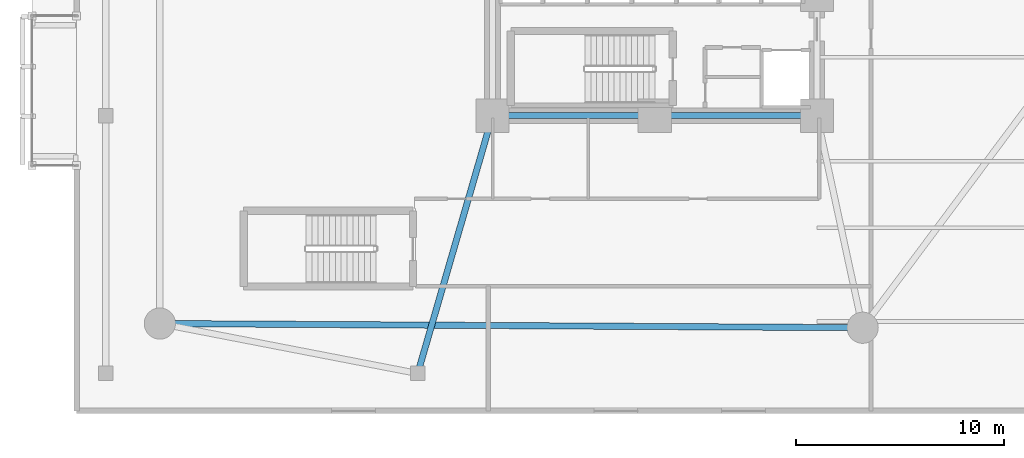
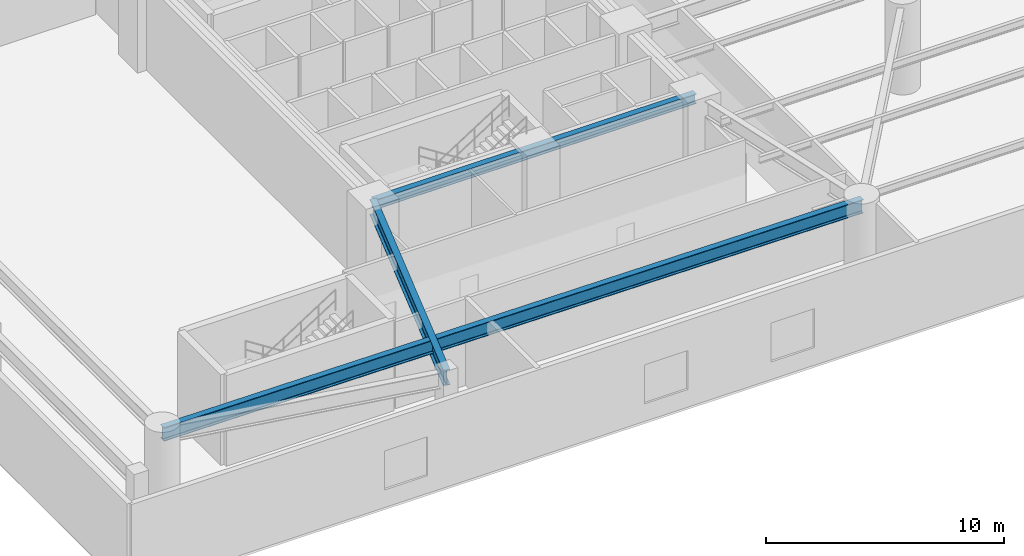
# One storey, part 3 of 15: 3 beams.
"""IFC4 building model written with IfcOpenShell, lengths in metres."""

import ifcopenshell
import ifcopenshell.guid

model = None  # the IFC model being written
_history = None  # IfcOwnerHistory: only IFC2X3 demands one
_inside = {}  # id of a spatial element -> (the spatial element, [elements in it])
_under = {}  # id of a project, library or spatial element -> (it, [spatial elements below it])
_declared = {}  # id of a project -> (the project, [libraries it declares])
_typed = {}  # id of a type object -> (the type object, [elements of that type])
_made_of = {}  # id of a material, layer set ... -> (it, [elements and type objects made of it])


def new_model(schema):
    """Start an empty IFC model of exactly this schema.

    Asked for "IFC4X3", IfcOpenShell would pick the latest addendum, in which some entities
    have other attributes; the version numbers below select the first issue.
    IFC2X3 requires an IfcOwnerHistory on every rooted entity: one is made here for all.
    """
    global model, _history
    if schema == "IFC4X3":
        model = ifcopenshell.file(schema_version=(4, 3, 0, 0))
    else:
        model = ifcopenshell.file(schema=schema)
    _inside.clear()
    _under.clear()
    _declared.clear()
    _typed.clear()
    _made_of.clear()
    _history = None
    if model.schema == "IFC2X3":
        org = make("IfcOrganization", Name="unknown")
        user = make(
            "IfcPersonAndOrganization",
            ThePerson=make("IfcPerson", FamilyName="unknown"),
            TheOrganization=org,
        )
        app = make(
            "IfcApplication",
            ApplicationDeveloper=org,
            Version="unknown",
            ApplicationFullName="unknown",
            ApplicationIdentifier="unknown",
        )
        _history = make(
            "IfcOwnerHistory",
            OwningUser=user,
            OwningApplication=app,
            ChangeAction="ADDED",
            CreationDate=0,
        )
    return model


def make(cls, **values):
    """One entity of the class cls with the attributes given. An attribute that is None is left unset."""
    return model.create_entity(
        cls, **{name: value for name, value in values.items() if value is not None}
    )


def rooted(cls, **values):
    """An entity with a GlobalId (a new one), such as an element, a storey or a relation."""
    return make(cls, GlobalId=ifcopenshell.guid.new(), OwnerHistory=_history, **values)


def si_unit(unit_type, name, prefix=None):
    """IfcSIUnit, for example si_unit("LENGTHUNIT", "METRE", prefix="MILLI")."""
    return make("IfcSIUnit", UnitType=unit_type, Prefix=prefix, Name=name)


def assignment(units):
    """IfcUnitAssignment: the units of a project."""
    return None if units is None else make("IfcUnitAssignment", Units=units)


def point(xyz):
    """IfcCartesianPoint."""
    return None if xyz is None else make("IfcCartesianPoint", Coordinates=xyz)


def direction(xyz):
    """IfcDirection."""
    return None if xyz is None else make("IfcDirection", DirectionRatios=xyz)


def frame(location, z_axis=None, x_axis=None):
    """IfcAxis2Placement3D, a coordinate frame: its origin and axes. An axis left out is left unset."""
    return make(
        "IfcAxis2Placement3D",
        Location=point(location),
        Axis=direction(z_axis),
        RefDirection=direction(x_axis),
    )


def frame_2d(location, x_axis=None):
    """IfcAxis2Placement2D, a coordinate frame in the plane: its origin and x axis."""
    return make(
        "IfcAxis2Placement2D", Location=point(location), RefDirection=direction(x_axis)
    )


def origin():
    """The frame at (0, 0, 0) with its axes left unset."""
    return frame((0.0, 0.0, 0.0))


def origin_2d():
    """The frame at (0, 0) in the plane with its x axis left unset."""
    return frame_2d((0.0, 0.0))


def place(relative_to, where):
    """IfcLocalPlacement: puts the frame where relative to a parent placement (None: the world)."""
    return make(
        "IfcLocalPlacement", PlacementRelTo=relative_to, RelativePlacement=where
    )


def context(
    kind, dimensions, precision=None, world=None, true_north=None, identifier=None
):
    """IfcGeometricRepresentationContext, for example the 3D "Model" context."""
    return make(
        "IfcGeometricRepresentationContext",
        ContextIdentifier=identifier,
        ContextType=kind,
        CoordinateSpaceDimension=dimensions,
        Precision=precision,
        WorldCoordinateSystem=world,
        TrueNorth=true_north,
    )


def subcontext(parent, identifier, kind, view, scale=None):
    """IfcGeometricRepresentationSubContext, for example "Body" below "Model"."""
    return make(
        "IfcGeometricRepresentationSubContext",
        ContextIdentifier=identifier,
        ContextType=kind,
        ParentContext=parent,
        TargetScale=scale,
        TargetView=view,
    )


def project(units=None, contexts=None):
    """IfcProject with its units and contexts."""
    return rooted(
        "IfcProject",
        Name="project",
        RepresentationContexts=contexts,
        UnitsInContext=assignment(units),
    )


def spatial(cls, under=None, at=None, **own):
    """A site, building, storey or space (cls), placed at a placement, below another one or the project."""
    s = rooted(cls, ObjectPlacement=at, **own)
    if under is not None:
        _under.setdefault(under.id(), (under, []))[1].append(s)
    return s


def profile(cls, at=None, kind="AREA", **sizes):
    """A parametric profile (cls). Its sizes go by their IFC names, for example OverallWidth=200.0."""
    return make(cls, ProfileType=kind, Position=at, **sizes)


def i_section(**sizes):
    """IfcIShapeProfileDef."""
    return profile("IfcIShapeProfileDef", **sizes)


def extrude(swept, where, along, depth):
    """IfcExtrudedAreaSolid: the profile swept, set in the frame where, extruded along a direction by depth."""
    return make(
        "IfcExtrudedAreaSolid",
        SweptArea=swept,
        Position=where,
        ExtrudedDirection=direction(along),
        Depth=depth,
    )


def shape(context_of_items, identifier, shape_type, items):
    """IfcShapeRepresentation: the items that make up one representation, for example the "Body"."""
    return make(
        "IfcShapeRepresentation",
        ContextOfItems=context_of_items,
        RepresentationIdentifier=identifier,
        RepresentationType=shape_type,
        Items=items,
    )


def material(Name=None, Category=None):
    """IfcMaterial."""
    return make("IfcMaterial", Name=Name, Category=Category)


def material_profile(
    of_material, cross_section, Name=None, Category=None, Priority=None
):
    """IfcMaterialProfile: a cross section and its material."""
    return make(
        "IfcMaterialProfile",
        Name=Name,
        Material=of_material,
        Profile=cross_section,
        Priority=Priority,
        Category=Category,
    )


def profile_set(profiles, Name=None, composite=None):
    """IfcMaterialProfileSet."""
    return make(
        "IfcMaterialProfileSet",
        Name=Name,
        MaterialProfiles=profiles,
        CompositeProfile=composite,
    )


def made_of(thing, what):
    """Note that an element or type object is made of a material, layer set ...; save() writes the relation."""
    if what is not None:
        _made_of.setdefault(what.id(), (what, []))[1].append(thing)
    return thing


def type_object(cls, material=None, **own):
    """A type object (cls), such as IfcWallType, which elements share."""
    return made_of(rooted(cls, **own), material)


def element(
    cls,
    number,
    at=None,
    inside=None,
    cuts=None,
    type_object=None,
    material=None,
    context=None,
    identifier="Body",
    shape_type=None,
    held_by="IfcProductDefinitionShape",
    body=None,
    shapes=None,
    **own,
):
    """One element of the class cls, such as IfcWall. Its Tag is "e" and its number.

    at: its placement. inside: the storey or other place that contains it. cuts: it is an
    opening in that element (IfcRelVoidsElement). A single representation is given by context,
    identifier, shape_type and body (its items); several are given by shapes. held_by: the class
    of the entity that holds the representations. save() writes the other relations.
    """
    e = rooted(cls, Tag="e%d" % number, ObjectPlacement=at, **own)
    if body is not None:
        shapes = [shape(context, identifier, shape_type, body)]
    if shapes is not None:
        e.Representation = make(held_by, Representations=shapes)
    if inside is not None:
        _inside.setdefault(inside.id(), (inside, []))[1].append(e)
    if cuts is not None:
        rooted(
            "IfcRelVoidsElement", RelatingBuildingElement=cuts, RelatedOpeningElement=e
        )
    if type_object is not None:
        _typed.setdefault(type_object.id(), (type_object, []))[1].append(e)
    return made_of(e, material)


def aggregate(whole, parts):
    """IfcRelAggregates: a whole, such as a stair, and the parts it consists of."""
    return rooted("IfcRelAggregates", RelatingObject=whole, RelatedObjects=parts)


def save(model, path):
    """Write the relations noted so far, then the file.

    IfcRelAggregates (storeys below a building ...), IfcRelContainedInSpatialStructure (elements
    in a storey), IfcRelDefinesByType, IfcRelAssociatesMaterial and IfcRelDeclares: one each for
    every whole, place, type object, material and project.
    """
    for whole, parts in _under.values():
        aggregate(whole, parts)
    for where, things in _inside.values():
        rooted(
            "IfcRelContainedInSpatialStructure",
            RelatedElements=things,
            RelatingStructure=where,
        )
    for kind, things in _typed.values():
        rooted("IfcRelDefinesByType", RelatedObjects=things, RelatingType=kind)
    for what, things in _made_of.values():
        rooted("IfcRelAssociatesMaterial", RelatedObjects=things, RelatingMaterial=what)
    for by, libraries in _declared.values():
        rooted("IfcRelDeclares", RelatingContext=by, RelatedDefinitions=libraries)
    model.write(path)


model = new_model("IFC4")

# Units and contexts
model_context = context("Model", 3, precision=1e-05, world=origin(), true_north=direction((0.0, 1.0)))
body_context = subcontext(model_context, "Body", "Model", "MODEL_VIEW")
ifc_project = project(units=[si_unit("LENGTHUNIT", "METRE"), si_unit("AREAUNIT", "SQUARE_METRE"), si_unit("VOLUMEUNIT", "CUBIC_METRE"), si_unit("PLANEANGLEUNIT", "RADIAN"), si_unit("MASSUNIT", "GRAM", prefix="KILO")], contexts=[model_context])

# Site, building, storey
site_placement = place(None, origin())
site = spatial("IfcSite", under=ifc_project, at=site_placement, CompositionType="ELEMENT")
building_placement = place(site_placement, origin())
building = spatial("IfcBuilding", under=site, at=building_placement, Name="An Khanh Terracotta Commons", CompositionType="ELEMENT")
storey_placement = place(building_placement, frame((0.0, 0.0, 14.699951171875)))
storey = spatial("IfcBuildingStorey", under=building, at=storey_placement, Name="L04", CompositionType="ELEMENT", Elevation=14.699951171875)

# Beams
ifc_material = material(Name="Steel S355J2", Category="steel")
ifc_material_profile_1 = material_profile(ifc_material, i_section(OverallWidth=0.300048828125, OverallDepth=0.5, WebThickness=0.014404296875, FlangeThickness=0.028076171875, FilletRadius=0.027099609375, at=origin_2d()), Name="HEB500")
ifc_profile_set_1 = profile_set([ifc_material_profile_1], Name="Steel S355J2")
beam_type_1 = type_object("IfcBeamType", Name="BM-HEB500", PredefinedType="BEAM", material=ifc_profile_set_1)
beam_1_placement = place(storey_placement, frame((21.60009765625, 14.39990234375, 4.199951171875), z_axis=(1.0, 0.0, 0.0), x_axis=(0.0, 1.0, 0.0)))
element("IfcBeam", 1, at=beam_1_placement, inside=storey, type_object=beam_type_1, Name="L04 Core South Coupling Girder", PredefinedType="BEAM", context=body_context, shape_type="SweptSolid", body=[
    extrude(i_section(OverallWidth=0.300048828125, OverallDepth=0.5, WebThickness=0.014404296875, FlangeThickness=0.028076171875, FilletRadius=0.027099609375, at=origin_2d()), origin(), (0.0, 0.0, 1.0), 15.599853515625),
])
ifc_material_profile_2 = material_profile(ifc_material, i_section(OverallWidth=0.300048828125, OverallDepth=0.699951171875, WebThickness=0.01708984375, FlangeThickness=0.031982421875, FilletRadius=0.027099609375, at=origin_2d()), Name="HEB700")
ifc_profile_set_2 = profile_set([ifc_material_profile_2], Name="Steel S355J2")
beam_type_2 = type_object("IfcBeamType", Name="BM-HEB700", PredefinedType="BEAM", material=ifc_profile_set_2)
beam_2_placement = place(storey_placement, frame((5.60009765625, 4.39990234375, 4.10009765625), z_axis=(0.999982502414, -0.005915645817, 0.0), x_axis=(0.005915645817, 0.999982502414, 0.0)))
element("IfcBeam", 2, at=beam_2_placement, inside=storey, type_object=beam_type_2, Name="L04 Podium Mega-Ring Girder 1", PredefinedType="BEAM", context=body_context, shape_type="SweptSolid", body=[
    extrude(i_section(OverallWidth=0.300048828125, OverallDepth=0.699951171875, WebThickness=0.01708984375, FlangeThickness=0.031982421875, FilletRadius=0.027099609375, at=origin_2d()), origin(), (0.0, 0.0, 1.0), 33.80029296875),
])
ifc_material_profile_3 = material_profile(ifc_material, i_section(OverallWidth=0.300048828125, OverallDepth=0.800048828125, WebThickness=0.017578125, FlangeThickness=0.032958984375, FilletRadius=0.030029296875, at=origin_2d()), Name="HEB800")
ifc_profile_set_3 = profile_set([ifc_material_profile_3], Name="Steel S355J2")
beam_type_3 = type_object("IfcBeamType", Name="BM-HEB800", PredefinedType="BEAM", material=ifc_profile_set_3)
beam_3_placement = place(storey_placement, frame((18.0, 2.0, 4.050048828125), z_axis=(0.278819195264, 0.960343613689, 0.0), x_axis=(-0.960343613689, 0.278819195264, 0.0)))
element("IfcBeam", 3, at=beam_3_placement, inside=storey, type_object=beam_type_3, Name="L04 Primary Podium Girder 5", PredefinedType="BEAM", context=body_context, shape_type="SweptSolid", body=[
    extrude(i_section(OverallWidth=0.300048828125, OverallDepth=0.800048828125, WebThickness=0.017578125, FlangeThickness=0.032958984375, FilletRadius=0.030029296875, at=origin_2d()), origin(), (0.0, 0.0, 1.0), 12.911865234375),
])

save(model, "model.ifc")
